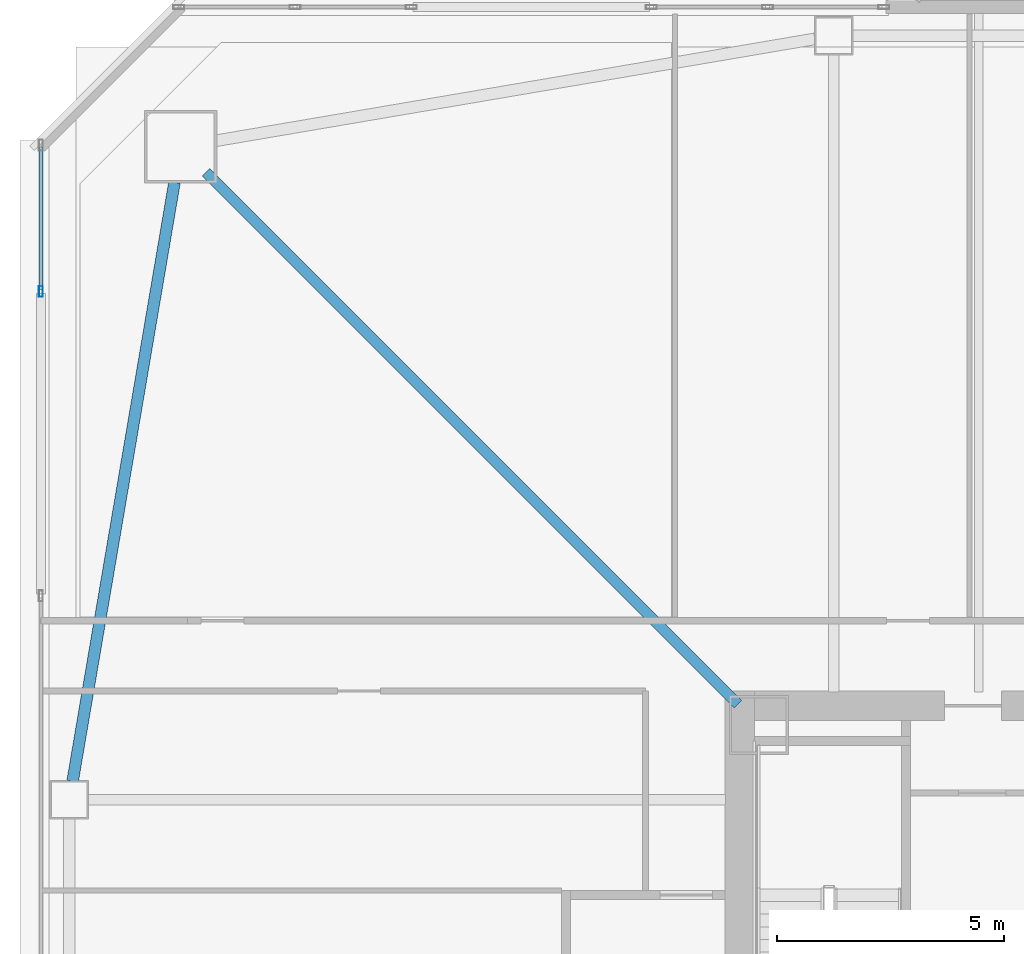
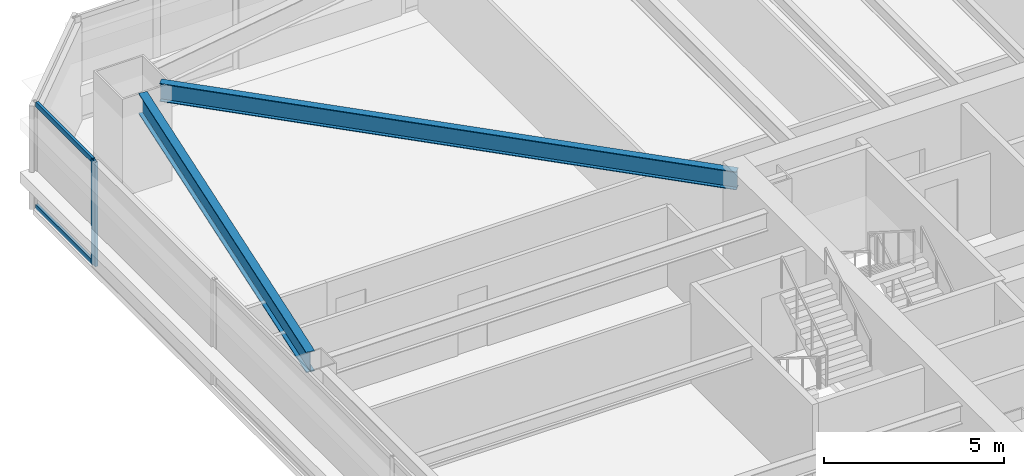
# One storey, part 13 of 51: 3 members, 2 beams, 1 element without a shape of its own.
"""IFC4 building model written with IfcOpenShell, lengths in metres."""

from ifc_helpers import new_model, si_unit, direction, frame, origin, origin_2d, place, context, subcontext, project, spatial, hollow_rectangle, i_section, extrude, material, material_profile, profile_set, type_object, element, aggregate, save


model = new_model("IFC4")

# Units and contexts
model_context = context("Model", 3, precision=1e-05, world=origin(), true_north=direction((0.0, 1.0)))
body_context = subcontext(model_context, "Body", "Model", "MODEL_VIEW")
ifc_project = project(units=[si_unit("LENGTHUNIT", "METRE"), si_unit("AREAUNIT", "SQUARE_METRE"), si_unit("VOLUMEUNIT", "CUBIC_METRE"), si_unit("PLANEANGLEUNIT", "RADIAN"), si_unit("MASSUNIT", "GRAM", prefix="KILO")], contexts=[model_context])

# Site, building, storey
site_placement = place(None, origin())
site = spatial("IfcSite", under=ifc_project, at=site_placement, CompositionType="ELEMENT")
building_placement = place(site_placement, origin())
building = spatial("IfcBuilding", under=site, at=building_placement, Name="Tashvorn Skyway Center", CompositionType="ELEMENT")
storey_placement = place(building_placement, frame((0.0, 0.0, 49.449951171875)))
storey = spatial("IfcBuildingStorey", under=building, at=storey_placement, Name="L12", CompositionType="ELEMENT", Elevation=49.449951171875)

# Beams
ifc_material_1 = material(Name="Steel ASTM A992 Grade 50", Category="steel")
ifc_material_profile_1 = material_profile(ifc_material_1, i_section(OverallWidth=0.22998046875, OverallDepth=0.616943359375, WebThickness=0.01318359375, FlangeThickness=0.022216796875, at=origin_2d()), Name="W24X94")
ifc_profile_set_1 = profile_set([ifc_material_profile_1], Name="Steel ASTM A992 Grade 50")
beam_type_1 = type_object("IfcBeamType", Name="BM-BEAM-W24X94", PredefinedType="BEAM", material=ifc_profile_set_1)
beam_1_placement = place(storey_placement, frame((22.76220703125, 51.23779296875, 3.04150390625), z_axis=(0.707106781187, -0.707106781187, 0.0), x_axis=(0.707106781187, 0.707106781187, 0.0)))
element("IfcBeam", 1, at=beam_1_placement, inside=storey, type_object=beam_type_1, Name="Tower 1 L12 Primary Floor Girder MC-NW", PredefinedType="BEAM", context=body_context, shape_type="SweptSolid", body=[
    extrude(i_section(OverallWidth=0.22998046875, OverallDepth=0.616943359375, WebThickness=0.01318359375, FlangeThickness=0.022216796875, at=origin_2d()), origin(), (0.0, 0.0, 1.0), 16.591064453125),
])
ifc_material_profile_2 = material_profile(ifc_material_1, i_section(OverallWidth=0.256103515625, OverallDepth=0.693115234375, WebThickness=0.014404296875, FlangeThickness=0.023681640625, at=origin_2d()), Name="W27X114")
ifc_profile_set_2 = profile_set([ifc_material_profile_2], Name="Steel ASTM A992 Grade 50")
beam_type_2 = type_object("IfcBeamType", Name="BM-SPANDREL-W27X114", PredefinedType="SPANDREL", material=ifc_profile_set_2)
beam_2_placement = place(storey_placement, frame((22.066650390625, 51.016357421875, 3.003662109375), z_axis=(-0.16771792509, -0.985835025551, 0.0), x_axis=(0.985835025551, -0.16771792509, 0.0)))
element("IfcBeam", 2, at=beam_2_placement, inside=storey, type_object=beam_type_2, Name="Tower 1 L12 Spandrel Beam 10", PredefinedType="SPANDREL", context=body_context, shape_type="SweptSolid", body=[
    extrude(i_section(OverallWidth=0.256103515625, OverallDepth=0.693115234375, WebThickness=0.014404296875, FlangeThickness=0.023681640625, at=origin_2d()), origin(), (0.0, 0.0, 1.0), 13.39208984375),
])

# Curtain wall, members
ifc_material_2 = material(Name="Thermally broken bronze-anodized aluminium 6063-T6", Category="aluminium")
curtain_wall_type = type_object("IfcCurtainWallType", Name="CW-CW-Z1", PredefinedType="NOTDEFINED", material=ifc_material_2)
curtain_wall_placement = place(storey_placement, origin())
curtain_wall = element("IfcCurtainWall", 3, at=curtain_wall_placement, inside=storey, type_object=curtain_wall_type, Name="Tower 1 L12 West Unitised Curtain Wall Glazing Group 3", PredefinedType="NOTDEFINED")
ifc_material_profile_3 = material_profile(ifc_material_2, hollow_rectangle(XDim=0.0849609375, YDim=0.239990234375, WallThickness=0.0048828125, at=origin_2d()), Name="ALU-MULL-85x240")
ifc_profile_set_3 = profile_set([ifc_material_profile_3], Name="Thermally broken bronze-anodized aluminium 6063-T6")
member_type_1 = type_object("IfcMemberType", Name="CWM-CW-Z1", PredefinedType="MULLION", material=ifc_profile_set_3)
member_1_placement = place(storey_placement, frame((19.1201171875, 48.609130859375, 0.0), z_axis=(0.0, 0.0, 1.0), x_axis=(-1.0, 0.0, 0.0)))
member_1 = element("IfcMember", 4, at=member_1_placement, type_object=member_type_1, Name="CW-Z1 mullion 1", PredefinedType="MULLION", context=body_context, shape_type="SweptSolid", body=[
    extrude(hollow_rectangle(XDim=0.0849609375, YDim=0.239990234375, WallThickness=0.0048828125, at=origin_2d()), origin(), (0.0, 0.0, 1.0), 3.550048828125),
])
ifc_material_profile_4 = material_profile(ifc_material_2, hollow_rectangle(XDim=0.0849609375, YDim=0.1650390625, WallThickness=0.0048828125, at=origin_2d()), Name="ALU-TRAN-85x165")
ifc_profile_set_4 = profile_set([ifc_material_profile_4], Name="Thermally broken bronze-anodized aluminium 6063-T6")
member_type_2 = type_object("IfcMemberType", Name="CWT-CW-Z1", PredefinedType="USERDEFINED", material=ifc_profile_set_4)
member_2_placement = place(storey_placement, frame((19.1201171875, 48.651611328125, 0.04248046875), z_axis=(0.0, 1.0, 0.0), x_axis=(-1.0, 0.0, 0.0)))
member_2 = element("IfcMember", 5, at=member_2_placement, type_object=member_type_2, Name="CW-Z1 transom 1.1", ObjectType="TRANSOM", PredefinedType="USERDEFINED", context=body_context, shape_type="SweptSolid", body=[
    extrude(hollow_rectangle(XDim=0.0849609375, YDim=0.1650390625, WallThickness=0.0048828125, at=origin_2d()), origin(), (0.0, 0.0, 1.0), 3.143310546875),
])
member_3_placement = place(storey_placement, frame((19.1201171875, 48.651611328125, 3.507568359375), z_axis=(0.0, 1.0, 0.0), x_axis=(-1.0, 0.0, 0.0)))
member_3 = element("IfcMember", 6, at=member_3_placement, type_object=member_type_2, Name="CW-Z1 transom 1.2", ObjectType="TRANSOM", PredefinedType="USERDEFINED", context=body_context, shape_type="SweptSolid", body=[
    extrude(hollow_rectangle(XDim=0.0849609375, YDim=0.1650390625, WallThickness=0.0048828125, at=origin_2d()), origin(), (0.0, 0.0, 1.0), 3.143310546875),
])
aggregate(curtain_wall, [member_1, member_2, member_3])

save(model, "model.ifc")
